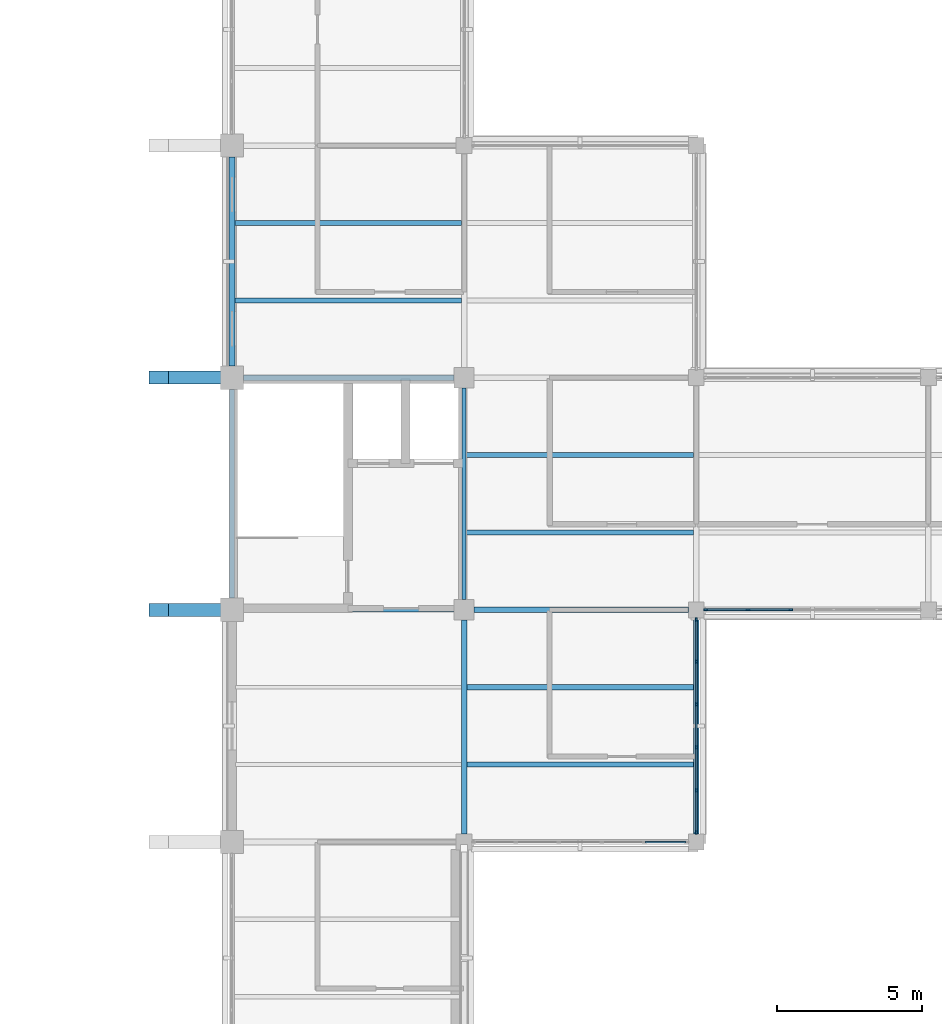
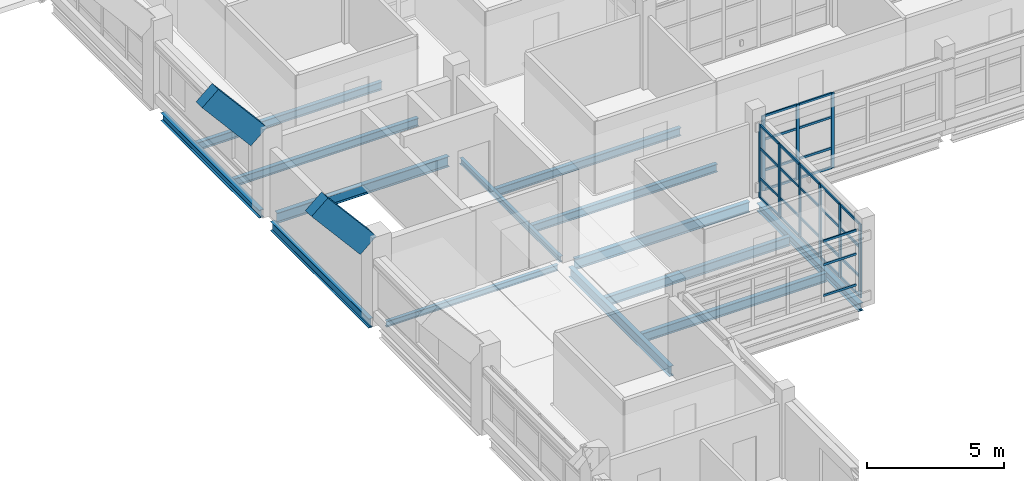
# One storey, part 20 of 92: 40 members, 16 beams, 3 elements without a shape of their own.
"""IFC4 building model written with IfcOpenShell, lengths in metres."""

from ifc_helpers import new_model, si_unit, derived_unit, direction, frame, origin, origin_2d, place, context, subcontext, project, spatial, rectangle, i_section, extrude, material, layer, layer_set, material_profile, profile_set, type_object, element, aggregate, save


model = new_model("IFC4")

# Units and contexts
model_context = context("Model", 3, precision=1e-05, world=origin(), true_north=direction((0.0, 1.0)))
body_context = subcontext(model_context, "Body", "Model", "MODEL_VIEW")
ifc_project = project(units=[si_unit("LENGTHUNIT", "METRE"), si_unit("AREAUNIT", "SQUARE_METRE"), si_unit("VOLUMEUNIT", "CUBIC_METRE"), si_unit("PLANEANGLEUNIT", "RADIAN"), si_unit("MASSUNIT", "GRAM", prefix="KILO"), derived_unit("THERMALTRANSMITTANCEUNIT", [(si_unit("MASSUNIT", "GRAM", prefix="KILO"), 1), (si_unit("TIMEUNIT", "SECOND"), -3), (si_unit("THERMODYNAMICTEMPERATUREUNIT", "KELVIN"), -1)])], contexts=[model_context])

# Site, building, storey
site_placement = place(None, origin())
site = spatial("IfcSite", under=ifc_project, at=site_placement, CompositionType="ELEMENT")
building_placement = place(site_placement, origin())
building = spatial("IfcBuilding", under=site, at=building_placement, Name="Veyamyaing Civic Hall", CompositionType="ELEMENT")
storey_placement = place(building_placement, frame((0.0, 0.0, 17.820068359375)))
storey = spatial("IfcBuildingStorey", under=building, at=storey_placement, Name="L04", CompositionType="ELEMENT", Elevation=17.820068359375)

# Beams
ifc_material_1 = material(Name="Steel ASTM A992", Category="steel")
ifc_material_profile_1 = material_profile(ifc_material_1, i_section(OverallWidth=0.19189453125, OverallDepth=0.462890625, WebThickness=0.010498046875, FlangeThickness=0.017578125, FilletRadius=0.010009765625, at=origin_2d()), Name="W460X89")
ifc_profile_set_1 = profile_set([ifc_material_profile_1], Name="Steel ASTM A992")
beam_type_1 = type_object("IfcBeamType", Name="B-08", PredefinedType="BEAM", material=ifc_profile_set_1)
beam_1_placement = place(storey_placement, frame((112.35009765625, 48.0, -0.466552734375), z_axis=(1.0, 0.0, 0.0), x_axis=(0.0, 1.0, 0.0)))
element("IfcBeam", 1, at=beam_1_placement, inside=storey, type_object=beam_type_1, Name="Girder B-08 L04 Grid G 15-16", PredefinedType="BEAM", context=body_context, shape_type="SweptSolid", body=[
    extrude(i_section(OverallWidth=0.19189453125, OverallDepth=0.462890625, WebThickness=0.010498046875, FlangeThickness=0.017578125, FilletRadius=0.010009765625, at=origin_2d()), origin(), (0.0, 0.0, 1.0), 7.375),
])
beam_2_placement = place(storey_placement, frame((104.39990234375, 56.0, -0.466552734375), z_axis=(1.0, 0.0, 0.0), x_axis=(0.0, 1.0, 0.0)))
element("IfcBeam", 2, at=beam_2_placement, inside=storey, type_object=beam_type_1, Name="Girder B-08 L04 Grid H 14-15", PredefinedType="BEAM", context=body_context, shape_type="SweptSolid", body=[
    extrude(i_section(OverallWidth=0.19189453125, OverallDepth=0.462890625, WebThickness=0.010498046875, FlangeThickness=0.017578125, FilletRadius=0.010009765625, at=origin_2d()), origin(), (0.0, 0.0, 1.0), 7.25),
])
ifc_material_profile_2 = material_profile(ifc_material_1, i_section(OverallWidth=0.18994140625, OverallDepth=0.45703125, WebThickness=0.009033203125, FlangeThickness=0.014404296875, FilletRadius=0.010009765625, at=origin_2d()), Name="W460X74")
ifc_profile_set_2 = profile_set([ifc_material_profile_2], Name="Steel ASTM A992")
beam_type_2 = type_object("IfcBeamType", Name="B-09", PredefinedType="BEAM", material=ifc_profile_set_2)
beam_3_placement = place(storey_placement, frame((112.0, 40.27490234375, -0.463623046875), z_axis=(0.0, 1.0, 0.0), x_axis=(-1.0, 0.0, 0.0)))
element("IfcBeam", 3, at=beam_3_placement, inside=storey, type_object=beam_type_2, Name="Girder B-09 L04 Grid 15 F-G", PredefinedType="BEAM", context=body_context, shape_type="SweptSolid", body=[
    extrude(i_section(OverallWidth=0.18994140625, OverallDepth=0.45703125, WebThickness=0.009033203125, FlangeThickness=0.014404296875, FilletRadius=0.010009765625, at=origin_2d()), origin(), (0.0, 0.0, 1.0), 7.375),
])
ifc_material_profile_3 = material_profile(ifc_material_1, i_section(OverallWidth=0.179931640625, OverallDepth=0.4130859375, WebThickness=0.009765625, FlangeThickness=0.01611328125, FilletRadius=0.010009765625, at=origin_2d()), Name="W410X74")
ifc_profile_set_3 = profile_set([ifc_material_profile_3], Name="Steel ASTM A992")
beam_type_3 = type_object("IfcBeamType", Name="B-10", PredefinedType="SPANDREL", material=ifc_profile_set_3)
beam_4_placement = place(storey_placement, frame((104.0, 48.39990234375, -0.441650390625), z_axis=(0.0, 1.0, 0.0), x_axis=(-1.0, 0.0, 0.0)))
element("IfcBeam", 4, at=beam_4_placement, inside=storey, type_object=beam_type_3, Name="Girder B-10 L04 Grid 14 G-H", PredefinedType="SPANDREL", context=body_context, shape_type="SweptSolid", body=[
    extrude(i_section(OverallWidth=0.179931640625, OverallDepth=0.4130859375, WebThickness=0.009765625, FlangeThickness=0.01611328125, FilletRadius=0.010009765625, at=origin_2d()), origin(), (0.0, 0.0, 1.0), 7.2001953125),
])
ifc_material_profile_4 = material_profile(ifc_material_1, i_section(OverallWidth=0.2041015625, OverallDepth=0.35009765625, WebThickness=0.0078125, FlangeThickness=0.01513671875, FilletRadius=0.010009765625, at=origin_2d()), Name="W360X72")
ifc_profile_set_4 = profile_set([ifc_material_profile_4], Name="Steel ASTM A992")
beam_type_4 = type_object("IfcBeamType", Name="B-11", PredefinedType="SPANDREL", material=ifc_profile_set_4)
beam_5_placement = place(storey_placement, frame((104.0, 56.39990234375, -0.41015625), z_axis=(0.0, 1.0, 0.0), x_axis=(-1.0, 0.0, 0.0)))
element("IfcBeam", 5, at=beam_5_placement, inside=storey, type_object=beam_type_4, Name="Girder B-11 L04 Grid 14 H-J", PredefinedType="SPANDREL", context=body_context, shape_type="SweptSolid", body=[
    extrude(i_section(OverallWidth=0.2041015625, OverallDepth=0.35009765625, WebThickness=0.0078125, FlangeThickness=0.01513671875, FilletRadius=0.010009765625, at=origin_2d()), origin(), (0.0, 0.0, 1.0), 7.2001953125),
])
beam_6_placement = place(storey_placement, frame((120.0, 40.27490234375, -0.41015625), z_axis=(0.0, 1.0, 0.0), x_axis=(-1.0, 0.0, 0.0)))
element("IfcBeam", 6, at=beam_6_placement, inside=storey, type_object=beam_type_4, Name="Girder B-11 L04 Grid 16 F-G", PredefinedType="SPANDREL", context=body_context, shape_type="SweptSolid", body=[
    extrude(i_section(OverallWidth=0.2041015625, OverallDepth=0.35009765625, WebThickness=0.0078125, FlangeThickness=0.01513671875, FilletRadius=0.010009765625, at=origin_2d()), origin(), (0.0, 0.0, 1.0), 7.4501953125),
])
ifc_material_profile_5 = material_profile(ifc_material_1, i_section(OverallWidth=0.14599609375, OverallDepth=0.258056640625, WebThickness=0.006103515625, FlangeThickness=0.009033203125, FilletRadius=0.010009765625, at=origin_2d()), Name="W250X33")
ifc_profile_set_5 = profile_set([ifc_material_profile_5], Name="Steel ASTM A992")
beam_type_5 = type_object("IfcBeamType", Name="B-12", PredefinedType="BEAM", material=ifc_profile_set_5)
beam_7_placement = place(storey_placement, frame((104.39990234375, 48.0, -0.364013671875), z_axis=(1.0, 0.0, 0.0), x_axis=(0.0, 1.0, 0.0)))
element("IfcBeam", 7, at=beam_7_placement, inside=storey, type_object=beam_type_5, Name="Girder B-12 L04 Grid G 14-15", PredefinedType="BEAM", context=body_context, shape_type="SweptSolid", body=[
    extrude(i_section(OverallWidth=0.14599609375, OverallDepth=0.258056640625, WebThickness=0.006103515625, FlangeThickness=0.009033203125, FilletRadius=0.010009765625, at=origin_2d()), origin(), (0.0, 0.0, 1.0), 7.25),
])
beam_8_placement = place(storey_placement, frame((112.0, 48.35009765625, -0.364013671875), z_axis=(0.0, 1.0, 0.0), x_axis=(-1.0, 0.0, 0.0)))
element("IfcBeam", 8, at=beam_8_placement, inside=storey, type_object=beam_type_5, Name="Girder B-12 L04 Grid 15 G-H", PredefinedType="BEAM", context=body_context, shape_type="SweptSolid", body=[
    extrude(i_section(OverallWidth=0.14599609375, OverallDepth=0.258056640625, WebThickness=0.006103515625, FlangeThickness=0.009033203125, FilletRadius=0.010009765625, at=origin_2d()), origin(), (0.0, 0.0, 1.0), 7.2998046875),
])

# Curtain wall, members
ifc_material_2 = material(Name="Anodised aluminium 6063-T6", Category="aluminium")
ifc_layer = layer(ifc_material_2, 0.139892578125, Name="Anodised aluminium 6063-T6")
ifc_layer_set = layer_set([ifc_layer], Name="Anodised aluminium 6063-T6")
curtain_wall_type = type_object("IfcCurtainWallType", Name="CW-04", PredefinedType="NOTDEFINED", material=ifc_layer_set)
curtain_wall_1_placement = place(storey_placement, origin())
curtain_wall_1 = element("IfcCurtainWall", 9, at=curtain_wall_1_placement, inside=storey, type_object=curtain_wall_type, Name="Unitized curtain wall CW-04 L04 E 15.6", PredefinedType="NOTDEFINED")
ifc_material_profile_6 = material_profile(ifc_material_2, rectangle(XDim=0.06005859375, YDim=0.139892578125, at=origin_2d()), Name="ALU-MUL-60X140")
ifc_profile_set_6 = profile_set([ifc_material_profile_6], Name="Anodised aluminium 6063-T6")
member_type_1 = type_object("IfcMemberType", Name="CWM-03", PredefinedType="MULLION", material=ifc_profile_set_6)
member_1_placement = place(storey_placement, frame((120.0, 40.3349609375, 0.0), z_axis=(0.0, 0.0, 1.0), x_axis=(-1.0, 0.0, 0.0)))
member_1 = element("IfcMember", 10, at=member_1_placement, type_object=member_type_1, Name="CW-04 mullion 1", PredefinedType="MULLION", context=body_context, shape_type="SweptSolid", body=[
    extrude(rectangle(XDim=0.06005859375, YDim=0.139892578125, at=origin_2d()), origin(), (0.0, 0.0, 1.0), 3.284912109375),
])
member_2_placement = place(storey_placement, frame((120.0, 41.782958984375, 0.0), z_axis=(0.0, 0.0, 1.0), x_axis=(-1.0, 0.0, 0.0)))
member_2 = element("IfcMember", 11, at=member_2_placement, type_object=member_type_1, Name="CW-04 mullion 2", PredefinedType="MULLION", context=body_context, shape_type="SweptSolid", body=[
    extrude(rectangle(XDim=0.06005859375, YDim=0.139892578125, at=origin_2d()), origin(), (0.0, 0.0, 1.0), 3.284912109375),
])
member_3_placement = place(storey_placement, frame((120.0, 43.260986328125, 0.0), z_axis=(0.0, 0.0, 1.0), x_axis=(-1.0, 0.0, 0.0)))
member_3 = element("IfcMember", 12, at=member_3_placement, type_object=member_type_1, Name="CW-04 mullion 3", PredefinedType="MULLION", context=body_context, shape_type="SweptSolid", body=[
    extrude(rectangle(XDim=0.06005859375, YDim=0.139892578125, at=origin_2d()), origin(), (0.0, 0.0, 1.0), 3.284912109375),
])
member_4_placement = place(storey_placement, frame((120.0, 44.739013671875, 0.0), z_axis=(0.0, 0.0, 1.0), x_axis=(-1.0, 0.0, 0.0)))
member_4 = element("IfcMember", 13, at=member_4_placement, type_object=member_type_1, Name="CW-04 mullion 4", PredefinedType="MULLION", context=body_context, shape_type="SweptSolid", body=[
    extrude(rectangle(XDim=0.06005859375, YDim=0.139892578125, at=origin_2d()), origin(), (0.0, 0.0, 1.0), 3.284912109375),
])
member_5_placement = place(storey_placement, frame((120.0, 46.217041015625, 0.0), z_axis=(0.0, 0.0, 1.0), x_axis=(-1.0, 0.0, 0.0)))
member_5 = element("IfcMember", 14, at=member_5_placement, type_object=member_type_1, Name="CW-04 mullion 5", PredefinedType="MULLION", context=body_context, shape_type="SweptSolid", body=[
    extrude(rectangle(XDim=0.06005859375, YDim=0.139892578125, at=origin_2d()), origin(), (0.0, 0.0, 1.0), 3.284912109375),
])
member_6_placement = place(storey_placement, frame((120.0, 47.6650390625, 0.0), z_axis=(0.0, 0.0, 1.0), x_axis=(-1.0, 0.0, 0.0)))
member_6 = element("IfcMember", 15, at=member_6_placement, type_object=member_type_1, Name="CW-04 mullion 6", PredefinedType="MULLION", context=body_context, shape_type="SweptSolid", body=[
    extrude(rectangle(XDim=0.06005859375, YDim=0.139892578125, at=origin_2d()), origin(), (0.0, 0.0, 1.0), 3.284912109375),
])

curtain_wall_2_placement = place(storey_placement, origin())
curtain_wall_2 = element("IfcCurtainWall", 16, at=curtain_wall_2_placement, inside=storey, type_object=curtain_wall_type, Name="Unitized curtain wall CW-04 L04 S 16.7", PredefinedType="NOTDEFINED")
member_7_placement = place(storey_placement, frame((120.3349609375, 48.0, 0.0), z_axis=(0.0, 0.0, 1.0), x_axis=(0.0, 1.0, 0.0)))
member_7 = element("IfcMember", 17, at=member_7_placement, type_object=member_type_1, Name="CW-04 mullion 1", PredefinedType="MULLION", context=body_context, shape_type="SweptSolid", body=[
    extrude(rectangle(XDim=0.06005859375, YDim=0.139892578125, at=origin_2d()), origin(), (0.0, 0.0, 1.0), 3.348876953125),
])
member_8_placement = place(storey_placement, frame((121.782958984375, 48.0, 0.0), z_axis=(0.0, 0.0, 1.0), x_axis=(0.0, 1.0, 0.0)))
member_8 = element("IfcMember", 18, at=member_8_placement, type_object=member_type_1, Name="CW-04 mullion 2", PredefinedType="MULLION", context=body_context, shape_type="SweptSolid", body=[
    extrude(rectangle(XDim=0.06005859375, YDim=0.139892578125, at=origin_2d()), origin(), (0.0, 0.0, 1.0), 3.348876953125),
])
member_9_placement = place(storey_placement, frame((123.260986328125, 48.0, 0.0), z_axis=(0.0, 0.0, 1.0), x_axis=(0.0, 1.0, 0.0)))
member_9 = element("IfcMember", 19, at=member_9_placement, type_object=member_type_1, Name="CW-04 mullion 3", PredefinedType="MULLION", context=body_context, shape_type="SweptSolid", body=[
    extrude(rectangle(XDim=0.06005859375, YDim=0.139892578125, at=origin_2d()), origin(), (0.0, 0.0, 1.0), 3.348876953125),
])

curtain_wall_3_placement = place(storey_placement, origin())
curtain_wall_3 = element("IfcCurtainWall", 20, at=curtain_wall_3_placement, inside=storey, type_object=curtain_wall_type, Name="Unitized curtain wall CW-04 L04 S 15.6", PredefinedType="NOTDEFINED")
ifc_material_profile_7 = material_profile(ifc_material_2, rectangle(XDim=0.06005859375, YDim=0.10009765625, at=origin_2d()), Name="ALU-TRN-60X100")
ifc_profile_set_7 = profile_set([ifc_material_profile_7], Name="Anodised aluminium 6063-T6")
member_type_2 = type_object("IfcMemberType", Name="CWT-03", PredefinedType="USERDEFINED", material=ifc_profile_set_7)
member_10_placement = place(storey_placement, frame((118.2470703125, 40.0, 0.89990234375), z_axis=(1.0, 0.0, 0.0), x_axis=(0.0, 1.0, 0.0)))
member_10 = element("IfcMember", 21, at=member_10_placement, type_object=member_type_2, Name="CW-04 transom 5.2", ObjectType="TRANSOM", PredefinedType="USERDEFINED", context=body_context, shape_type="SweptSolid", body=[
    extrude(rectangle(XDim=0.06005859375, YDim=0.10009765625, at=origin_2d()), origin(), (0.0, 0.0, 1.0), 1.387939453125),
])
member_11_placement = place(storey_placement, frame((118.2470703125, 40.0, 2.279296875), z_axis=(1.0, 0.0, 0.0), x_axis=(0.0, 1.0, 0.0)))
member_11 = element("IfcMember", 22, at=member_11_placement, type_object=member_type_2, Name="CW-04 transom 5.3", ObjectType="TRANSOM", PredefinedType="USERDEFINED", context=body_context, shape_type="SweptSolid", body=[
    extrude(rectangle(XDim=0.06005859375, YDim=0.10009765625, at=origin_2d()), origin(), (0.0, 0.0, 1.0), 1.387939453125),
])
member_12_placement = place(storey_placement, frame((118.2470703125, 40.0, 3.322021484375), z_axis=(1.0, 0.0, 0.0), x_axis=(0.0, 1.0, 0.0)))
member_12 = element("IfcMember", 23, at=member_12_placement, type_object=member_type_2, Name="CW-04 transom 5.4", ObjectType="TRANSOM", PredefinedType="USERDEFINED", context=body_context, shape_type="SweptSolid", body=[
    extrude(rectangle(XDim=0.06005859375, YDim=0.10009765625, at=origin_2d()), origin(), (0.0, 0.0, 1.0), 1.387939453125),
])
aggregate(curtain_wall_3, [member_10, member_11, member_12])

# Member
member_13_placement = place(storey_placement, frame((120.0, 40.364990234375, 0.030029296875), z_axis=(0.0, 1.0, 0.0), x_axis=(-1.0, 0.0, 0.0)))
member_13 = element("IfcMember", 24, at=member_13_placement, type_object=member_type_2, Name="CW-04 transom 1.1", ObjectType="TRANSOM", PredefinedType="USERDEFINED", context=body_context, shape_type="SweptSolid", body=[
    extrude(rectangle(XDim=0.06005859375, YDim=0.10009765625, at=origin_2d()), origin(), (0.0, 0.0, 1.0), 1.387939453125),
])

member_14_placement = place(storey_placement, frame((120.0, 40.364990234375, 0.89990234375), z_axis=(0.0, 1.0, 0.0), x_axis=(-1.0, 0.0, 0.0)))
member_14 = element("IfcMember", 25, at=member_14_placement, type_object=member_type_2, Name="CW-04 transom 1.2", ObjectType="TRANSOM", PredefinedType="USERDEFINED", context=body_context, shape_type="SweptSolid", body=[
    extrude(rectangle(XDim=0.06005859375, YDim=0.10009765625, at=origin_2d()), origin(), (0.0, 0.0, 1.0), 1.387939453125),
])

member_15_placement = place(storey_placement, frame((120.0, 40.364990234375, 2.233642578125), z_axis=(0.0, 1.0, 0.0), x_axis=(-1.0, 0.0, 0.0)))
member_15 = element("IfcMember", 26, at=member_15_placement, type_object=member_type_2, Name="CW-04 transom 1.3", ObjectType="TRANSOM", PredefinedType="USERDEFINED", context=body_context, shape_type="SweptSolid", body=[
    extrude(rectangle(XDim=0.06005859375, YDim=0.10009765625, at=origin_2d()), origin(), (0.0, 0.0, 1.0), 1.387939453125),
])

member_16_placement = place(storey_placement, frame((120.0, 40.364990234375, 3.2548828125), z_axis=(0.0, 1.0, 0.0), x_axis=(-1.0, 0.0, 0.0)))
member_16 = element("IfcMember", 27, at=member_16_placement, type_object=member_type_2, Name="CW-04 transom 1.4", ObjectType="TRANSOM", PredefinedType="USERDEFINED", context=body_context, shape_type="SweptSolid", body=[
    extrude(rectangle(XDim=0.06005859375, YDim=0.10009765625, at=origin_2d()), origin(), (0.0, 0.0, 1.0), 1.387939453125),
])

member_17_placement = place(storey_placement, frame((120.0, 41.81298828125, 0.030029296875), z_axis=(0.0, 1.0, 0.0), x_axis=(-1.0, 0.0, 0.0)))
member_17 = element("IfcMember", 28, at=member_17_placement, type_object=member_type_2, Name="CW-04 transom 2.1", ObjectType="TRANSOM", PredefinedType="USERDEFINED", context=body_context, shape_type="SweptSolid", body=[
    extrude(rectangle(XDim=0.06005859375, YDim=0.10009765625, at=origin_2d()), origin(), (0.0, 0.0, 1.0), 1.41796875),
])

member_18_placement = place(storey_placement, frame((120.0, 41.81298828125, 0.89990234375), z_axis=(0.0, 1.0, 0.0), x_axis=(-1.0, 0.0, 0.0)))
member_18 = element("IfcMember", 29, at=member_18_placement, type_object=member_type_2, Name="CW-04 transom 2.2", ObjectType="TRANSOM", PredefinedType="USERDEFINED", context=body_context, shape_type="SweptSolid", body=[
    extrude(rectangle(XDim=0.06005859375, YDim=0.10009765625, at=origin_2d()), origin(), (0.0, 0.0, 1.0), 1.41796875),
])

member_19_placement = place(storey_placement, frame((120.0, 41.81298828125, 2.233642578125), z_axis=(0.0, 1.0, 0.0), x_axis=(-1.0, 0.0, 0.0)))
member_19 = element("IfcMember", 30, at=member_19_placement, type_object=member_type_2, Name="CW-04 transom 2.3", ObjectType="TRANSOM", PredefinedType="USERDEFINED", context=body_context, shape_type="SweptSolid", body=[
    extrude(rectangle(XDim=0.06005859375, YDim=0.10009765625, at=origin_2d()), origin(), (0.0, 0.0, 1.0), 1.41796875),
])

member_20_placement = place(storey_placement, frame((120.0, 41.81298828125, 3.2548828125), z_axis=(0.0, 1.0, 0.0), x_axis=(-1.0, 0.0, 0.0)))
member_20 = element("IfcMember", 31, at=member_20_placement, type_object=member_type_2, Name="CW-04 transom 2.4", ObjectType="TRANSOM", PredefinedType="USERDEFINED", context=body_context, shape_type="SweptSolid", body=[
    extrude(rectangle(XDim=0.06005859375, YDim=0.10009765625, at=origin_2d()), origin(), (0.0, 0.0, 1.0), 1.41796875),
])

member_21_placement = place(storey_placement, frame((120.0, 43.291015625, 0.030029296875), z_axis=(0.0, 1.0, 0.0), x_axis=(-1.0, 0.0, 0.0)))
member_21 = element("IfcMember", 32, at=member_21_placement, type_object=member_type_2, Name="CW-04 transom 3.1", ObjectType="TRANSOM", PredefinedType="USERDEFINED", context=body_context, shape_type="SweptSolid", body=[
    extrude(rectangle(XDim=0.06005859375, YDim=0.10009765625, at=origin_2d()), origin(), (0.0, 0.0, 1.0), 1.41796875),
])

member_22_placement = place(storey_placement, frame((120.0, 43.291015625, 0.89990234375), z_axis=(0.0, 1.0, 0.0), x_axis=(-1.0, 0.0, 0.0)))
member_22 = element("IfcMember", 33, at=member_22_placement, type_object=member_type_2, Name="CW-04 transom 3.2", ObjectType="TRANSOM", PredefinedType="USERDEFINED", context=body_context, shape_type="SweptSolid", body=[
    extrude(rectangle(XDim=0.06005859375, YDim=0.10009765625, at=origin_2d()), origin(), (0.0, 0.0, 1.0), 1.41796875),
])

member_23_placement = place(storey_placement, frame((120.0, 43.291015625, 2.233642578125), z_axis=(0.0, 1.0, 0.0), x_axis=(-1.0, 0.0, 0.0)))
member_23 = element("IfcMember", 34, at=member_23_placement, type_object=member_type_2, Name="CW-04 transom 3.3", ObjectType="TRANSOM", PredefinedType="USERDEFINED", context=body_context, shape_type="SweptSolid", body=[
    extrude(rectangle(XDim=0.06005859375, YDim=0.10009765625, at=origin_2d()), origin(), (0.0, 0.0, 1.0), 1.41796875),
])

member_24_placement = place(storey_placement, frame((120.0, 43.291015625, 3.2548828125), z_axis=(0.0, 1.0, 0.0), x_axis=(-1.0, 0.0, 0.0)))
member_24 = element("IfcMember", 35, at=member_24_placement, type_object=member_type_2, Name="CW-04 transom 3.4", ObjectType="TRANSOM", PredefinedType="USERDEFINED", context=body_context, shape_type="SweptSolid", body=[
    extrude(rectangle(XDim=0.06005859375, YDim=0.10009765625, at=origin_2d()), origin(), (0.0, 0.0, 1.0), 1.41796875),
])

member_25_placement = place(storey_placement, frame((120.0, 44.76904296875, 0.030029296875), z_axis=(0.0, 1.0, 0.0), x_axis=(-1.0, 0.0, 0.0)))
member_25 = element("IfcMember", 36, at=member_25_placement, type_object=member_type_2, Name="CW-04 transom 4.1", ObjectType="TRANSOM", PredefinedType="USERDEFINED", context=body_context, shape_type="SweptSolid", body=[
    extrude(rectangle(XDim=0.06005859375, YDim=0.10009765625, at=origin_2d()), origin(), (0.0, 0.0, 1.0), 1.41796875),
])

member_26_placement = place(storey_placement, frame((120.0, 44.76904296875, 0.89990234375), z_axis=(0.0, 1.0, 0.0), x_axis=(-1.0, 0.0, 0.0)))
member_26 = element("IfcMember", 37, at=member_26_placement, type_object=member_type_2, Name="CW-04 transom 4.2", ObjectType="TRANSOM", PredefinedType="USERDEFINED", context=body_context, shape_type="SweptSolid", body=[
    extrude(rectangle(XDim=0.06005859375, YDim=0.10009765625, at=origin_2d()), origin(), (0.0, 0.0, 1.0), 1.41796875),
])

member_27_placement = place(storey_placement, frame((120.0, 44.76904296875, 2.233642578125), z_axis=(0.0, 1.0, 0.0), x_axis=(-1.0, 0.0, 0.0)))
member_27 = element("IfcMember", 38, at=member_27_placement, type_object=member_type_2, Name="CW-04 transom 4.3", ObjectType="TRANSOM", PredefinedType="USERDEFINED", context=body_context, shape_type="SweptSolid", body=[
    extrude(rectangle(XDim=0.06005859375, YDim=0.10009765625, at=origin_2d()), origin(), (0.0, 0.0, 1.0), 1.41796875),
])

member_28_placement = place(storey_placement, frame((120.0, 44.76904296875, 3.2548828125), z_axis=(0.0, 1.0, 0.0), x_axis=(-1.0, 0.0, 0.0)))
member_28 = element("IfcMember", 39, at=member_28_placement, type_object=member_type_2, Name="CW-04 transom 4.4", ObjectType="TRANSOM", PredefinedType="USERDEFINED", context=body_context, shape_type="SweptSolid", body=[
    extrude(rectangle(XDim=0.06005859375, YDim=0.10009765625, at=origin_2d()), origin(), (0.0, 0.0, 1.0), 1.41796875),
])

member_29_placement = place(storey_placement, frame((120.0, 46.2470703125, 0.030029296875), z_axis=(0.0, 1.0, 0.0), x_axis=(-1.0, 0.0, 0.0)))
member_29 = element("IfcMember", 40, at=member_29_placement, type_object=member_type_2, Name="CW-04 transom 5.1", ObjectType="TRANSOM", PredefinedType="USERDEFINED", context=body_context, shape_type="SweptSolid", body=[
    extrude(rectangle(XDim=0.06005859375, YDim=0.10009765625, at=origin_2d()), origin(), (0.0, 0.0, 1.0), 1.387939453125),
])

member_30_placement = place(storey_placement, frame((120.0, 46.2470703125, 0.89990234375), z_axis=(0.0, 1.0, 0.0), x_axis=(-1.0, 0.0, 0.0)))
member_30 = element("IfcMember", 41, at=member_30_placement, type_object=member_type_2, Name="CW-04 transom 5.2", ObjectType="TRANSOM", PredefinedType="USERDEFINED", context=body_context, shape_type="SweptSolid", body=[
    extrude(rectangle(XDim=0.06005859375, YDim=0.10009765625, at=origin_2d()), origin(), (0.0, 0.0, 1.0), 1.387939453125),
])

member_31_placement = place(storey_placement, frame((120.0, 46.2470703125, 2.233642578125), z_axis=(0.0, 1.0, 0.0), x_axis=(-1.0, 0.0, 0.0)))
member_31 = element("IfcMember", 42, at=member_31_placement, type_object=member_type_2, Name="CW-04 transom 5.3", ObjectType="TRANSOM", PredefinedType="USERDEFINED", context=body_context, shape_type="SweptSolid", body=[
    extrude(rectangle(XDim=0.06005859375, YDim=0.10009765625, at=origin_2d()), origin(), (0.0, 0.0, 1.0), 1.387939453125),
])

member_32_placement = place(storey_placement, frame((120.0, 46.2470703125, 3.2548828125), z_axis=(0.0, 1.0, 0.0), x_axis=(-1.0, 0.0, 0.0)))
member_32 = element("IfcMember", 43, at=member_32_placement, type_object=member_type_2, Name="CW-04 transom 5.4", ObjectType="TRANSOM", PredefinedType="USERDEFINED", context=body_context, shape_type="SweptSolid", body=[
    extrude(rectangle(XDim=0.06005859375, YDim=0.10009765625, at=origin_2d()), origin(), (0.0, 0.0, 1.0), 1.387939453125),
])

aggregate(curtain_wall_1, [member_1, member_2, member_3, member_4, member_5, member_6, member_13, member_14, member_15, member_16, member_17, member_18, member_19, member_20, member_21, member_22, member_23, member_24, member_25, member_26, member_27, member_28, member_29, member_30, member_31, member_32])

member_33_placement = place(storey_placement, frame((120.364990234375, 48.0, 0.030029296875), z_axis=(1.0, 0.0, 0.0), x_axis=(0.0, 1.0, 0.0)))
member_33 = element("IfcMember", 44, at=member_33_placement, type_object=member_type_2, Name="CW-04 transom 1.1", ObjectType="TRANSOM", PredefinedType="USERDEFINED", context=body_context, shape_type="SweptSolid", body=[
    extrude(rectangle(XDim=0.06005859375, YDim=0.10009765625, at=origin_2d()), origin(), (0.0, 0.0, 1.0), 1.387939453125),
])

member_34_placement = place(storey_placement, frame((120.364990234375, 48.0, 0.89990234375), z_axis=(1.0, 0.0, 0.0), x_axis=(0.0, 1.0, 0.0)))
member_34 = element("IfcMember", 45, at=member_34_placement, type_object=member_type_2, Name="CW-04 transom 1.2", ObjectType="TRANSOM", PredefinedType="USERDEFINED", context=body_context, shape_type="SweptSolid", body=[
    extrude(rectangle(XDim=0.06005859375, YDim=0.10009765625, at=origin_2d()), origin(), (0.0, 0.0, 1.0), 1.387939453125),
])

member_35_placement = place(storey_placement, frame((120.364990234375, 48.0, 2.27734375), z_axis=(1.0, 0.0, 0.0), x_axis=(0.0, 1.0, 0.0)))
member_35 = element("IfcMember", 46, at=member_35_placement, type_object=member_type_2, Name="CW-04 transom 1.3", ObjectType="TRANSOM", PredefinedType="USERDEFINED", context=body_context, shape_type="SweptSolid", body=[
    extrude(rectangle(XDim=0.06005859375, YDim=0.10009765625, at=origin_2d()), origin(), (0.0, 0.0, 1.0), 1.387939453125),
])

member_36_placement = place(storey_placement, frame((120.364990234375, 48.0, 3.31884765625), z_axis=(1.0, 0.0, 0.0), x_axis=(0.0, 1.0, 0.0)))
member_36 = element("IfcMember", 47, at=member_36_placement, type_object=member_type_2, Name="CW-04 transom 1.4", ObjectType="TRANSOM", PredefinedType="USERDEFINED", context=body_context, shape_type="SweptSolid", body=[
    extrude(rectangle(XDim=0.06005859375, YDim=0.10009765625, at=origin_2d()), origin(), (0.0, 0.0, 1.0), 1.387939453125),
])

member_37_placement = place(storey_placement, frame((121.81298828125, 48.0, 0.030029296875), z_axis=(1.0, 0.0, 0.0), x_axis=(0.0, 1.0, 0.0)))
member_37 = element("IfcMember", 48, at=member_37_placement, type_object=member_type_2, Name="CW-04 transom 2.1", ObjectType="TRANSOM", PredefinedType="USERDEFINED", context=body_context, shape_type="SweptSolid", body=[
    extrude(rectangle(XDim=0.06005859375, YDim=0.10009765625, at=origin_2d()), origin(), (0.0, 0.0, 1.0), 1.41796875),
])

member_38_placement = place(storey_placement, frame((121.81298828125, 48.0, 0.89990234375), z_axis=(1.0, 0.0, 0.0), x_axis=(0.0, 1.0, 0.0)))
member_38 = element("IfcMember", 49, at=member_38_placement, type_object=member_type_2, Name="CW-04 transom 2.2", ObjectType="TRANSOM", PredefinedType="USERDEFINED", context=body_context, shape_type="SweptSolid", body=[
    extrude(rectangle(XDim=0.06005859375, YDim=0.10009765625, at=origin_2d()), origin(), (0.0, 0.0, 1.0), 1.41796875),
])

member_39_placement = place(storey_placement, frame((121.81298828125, 48.0, 2.27734375), z_axis=(1.0, 0.0, 0.0), x_axis=(0.0, 1.0, 0.0)))
member_39 = element("IfcMember", 50, at=member_39_placement, type_object=member_type_2, Name="CW-04 transom 2.3", ObjectType="TRANSOM", PredefinedType="USERDEFINED", context=body_context, shape_type="SweptSolid", body=[
    extrude(rectangle(XDim=0.06005859375, YDim=0.10009765625, at=origin_2d()), origin(), (0.0, 0.0, 1.0), 1.41796875),
])

member_40_placement = place(storey_placement, frame((121.81298828125, 48.0, 3.31884765625), z_axis=(1.0, 0.0, 0.0), x_axis=(0.0, 1.0, 0.0)))
member_40 = element("IfcMember", 51, at=member_40_placement, type_object=member_type_2, Name="CW-04 transom 2.4", ObjectType="TRANSOM", PredefinedType="USERDEFINED", context=body_context, shape_type="SweptSolid", body=[
    extrude(rectangle(XDim=0.06005859375, YDim=0.10009765625, at=origin_2d()), origin(), (0.0, 0.0, 1.0), 1.41796875),
])

aggregate(curtain_wall_2, [member_7, member_8, member_9, member_33, member_34, member_35, member_36, member_37, member_38, member_39, member_40])

# Beams
ifc_material_profile_8 = material_profile(ifc_material_1, i_section(OverallWidth=0.177978515625, OverallDepth=0.406982421875, WebThickness=0.0078125, FlangeThickness=0.0126953125, FilletRadius=0.010009765625, at=origin_2d()), Name="W410X60")
ifc_profile_set_8 = profile_set([ifc_material_profile_8], Name="Steel ASTM A992")
beam_type_6 = type_object("IfcBeamType", Name="J-01", PredefinedType="JOIST", material=ifc_profile_set_8)
for number, where, z_axis, x_axis, name in (
    (52, (112.093017578125, 42.666748046875, -0.4384765625), (1.0, 0.0, 0.0), (0.0, 1.0, 0.0), "Composite floor joist J-01 L04 15.6.1"),
    (53, (112.093017578125, 45.333251953125, -0.4384765625), (1.0, 0.0, 0.0), (0.0, 1.0, 0.0), "Composite floor joist J-01 L04 15.6.2"),
):
    element("IfcBeam", number, at=place(storey_placement, frame(where, z_axis=z_axis, x_axis=x_axis)), inside=storey, type_object=beam_type_6, Name=name, PredefinedType="JOIST", context=body_context, shape_type="SweptSolid", body=[
        extrude(i_section(OverallWidth=0.177978515625, OverallDepth=0.406982421875, WebThickness=0.0078125, FlangeThickness=0.0126953125, FilletRadius=0.010009765625, at=origin_2d()), origin(), (0.0, 0.0, 1.0), 7.806884765625),
    ])
ifc_material_profile_9 = material_profile(ifc_material_1, i_section(OverallWidth=0.172119140625, OverallDepth=0.35791015625, WebThickness=0.0078125, FlangeThickness=0.01318359375, FilletRadius=0.010009765625, at=origin_2d()), Name="W360X57")
ifc_profile_set_9 = profile_set([ifc_material_profile_9], Name="Steel ASTM A992")
beam_type_7 = type_object("IfcBeamType", Name="J-02", PredefinedType="JOIST", material=ifc_profile_set_9)
for number, where, z_axis, x_axis, name in (
    (54, (104.10009765625, 58.666748046875, -0.4140625), (1.0, 0.0, 0.0), (0.0, 1.0, 0.0), "Composite floor joist J-02 L04 14.8.1"),
    (55, (104.10009765625, 61.333251953125, -0.4140625), (1.0, 0.0, 0.0), (0.0, 1.0, 0.0), "Composite floor joist J-02 L04 14.8.2"),
):
    element("IfcBeam", number, at=place(storey_placement, frame(where, z_axis=z_axis, x_axis=x_axis)), inside=storey, type_object=beam_type_7, Name=name, PredefinedType="JOIST", context=body_context, shape_type="SweptSolid", body=[
        extrude(i_section(OverallWidth=0.172119140625, OverallDepth=0.35791015625, WebThickness=0.0078125, FlangeThickness=0.01318359375, FilletRadius=0.010009765625, at=origin_2d()), origin(), (0.0, 0.0, 1.0), 7.805908203125),
    ])
for number, where, z_axis, x_axis, name in (
    (56, (112.071044921875, 50.666748046875, -0.4140625), (1.0, 0.0, 0.0), (0.0, 1.0, 0.0), "Composite floor joist J-02 L04 15.7.1"),
    (57, (112.071044921875, 53.333251953125, -0.4140625), (1.0, 0.0, 0.0), (0.0, 1.0, 0.0), "Composite floor joist J-02 L04 15.7.2"),
):
    element("IfcBeam", number, at=place(storey_placement, frame(where, z_axis=z_axis, x_axis=x_axis)), inside=storey, type_object=beam_type_7, Name=name, PredefinedType="JOIST", context=body_context, shape_type="SweptSolid", body=[
        extrude(i_section(OverallWidth=0.172119140625, OverallDepth=0.35791015625, WebThickness=0.0078125, FlangeThickness=0.01318359375, FilletRadius=0.010009765625, at=origin_2d()), origin(), (0.0, 0.0, 1.0), 7.8349609375),
    ])
ifc_material_3 = material(Name="Concrete C40/50", Category="concrete")
ifc_material_profile_10 = material_profile(ifc_material_3, rectangle(XDim=0.449951171875, YDim=0.89990234375, at=origin_2d()), Name="RC-ARCH-450X900")
ifc_profile_set_10 = profile_set([ifc_material_profile_10], Name="Concrete C40/50")
beam_type_8 = type_object("IfcBeamType", Name="VR-01", PredefinedType="BEAM", material=ifc_profile_set_10)
for number, where, z_axis, x_axis, name in (
    (58, (101.478515625, 48.0, 5.984130859375), (0.647708679009, 0.0, -0.761888093578), (0.0, 1.0, 0.0), "Council Chamber Vault Arch Rib VR-01 R4.F11"),
    (59, (101.478515625, 56.0, 5.984130859375), (0.647708679009, 0.0, -0.761888093578), (0.0, 1.0, 0.0), "Council Chamber Vault Arch Rib VR-01 R5.F11"),
):
    element("IfcBeam", number, at=place(storey_placement, frame(where, z_axis=z_axis, x_axis=x_axis)), inside=storey, type_object=beam_type_8, Name=name, PredefinedType="BEAM", context=body_context, shape_type="SweptSolid", body=[
        extrude(rectangle(XDim=0.449951171875, YDim=0.89990234375, at=origin_2d()), origin(), (0.0, 0.0, 1.0), 3.17529296875),
    ])

save(model, "model.ifc")
